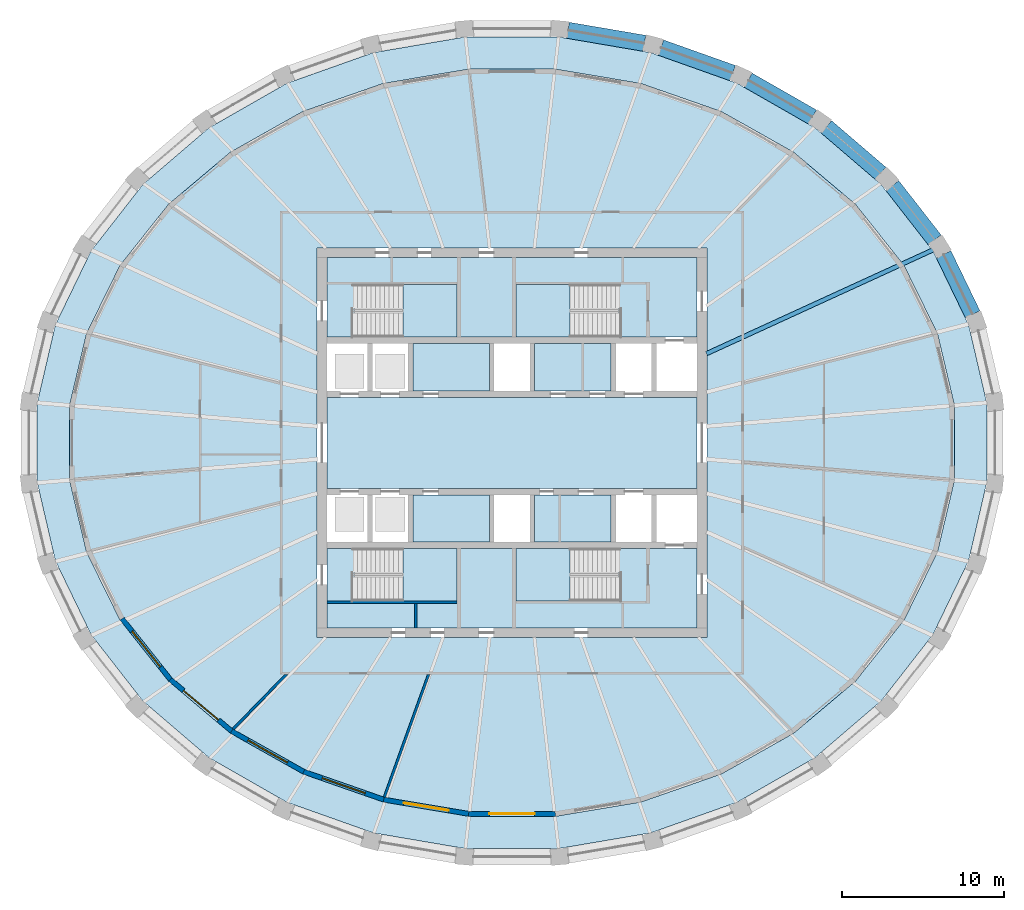
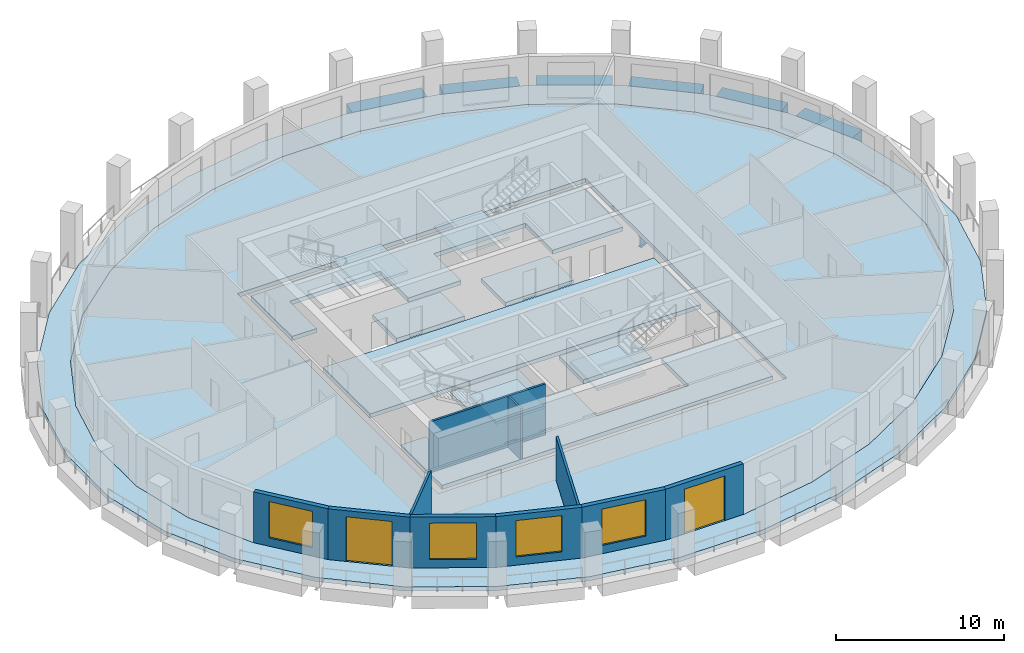
# One storey, part 2 of 10: 13 slabs, 10 walls, 7 beams, 4 windows, 2 doors, 6 openings, 4 elements without a shape of their own.
"""IFC4 building model written with IfcOpenShell, lengths in metres."""

from ifc_helpers import new_model, si_unit, direction, frame, frame_2d, origin, origin_2d, place, context, subcontext, project, spatial, polyline, rectangle, i_section, outline, extrude, material, layer, layer_set, material_profile, profile_set, type_object, element, fill, aggregate, save


model = new_model("IFC4")

# Units and contexts
model_context = context("Model", 3, precision=1e-05, world=origin(), true_north=direction((0.0, 1.0)))
body_context = subcontext(model_context, "Body", "Model", "MODEL_VIEW")
ifc_project = project(units=[si_unit("LENGTHUNIT", "METRE"), si_unit("AREAUNIT", "SQUARE_METRE"), si_unit("VOLUMEUNIT", "CUBIC_METRE"), si_unit("PLANEANGLEUNIT", "RADIAN"), si_unit("MASSUNIT", "GRAM", prefix="KILO")], contexts=[model_context])

# Site, building, storey
site_placement = place(None, origin())
site = spatial("IfcSite", under=ifc_project, at=site_placement, CompositionType="ELEMENT")
building_placement = place(site_placement, origin())
building = spatial("IfcBuilding", under=site, at=building_placement, Name="Halqa Exchange Tower", CompositionType="ELEMENT")
storey_placement = place(building_placement, frame((0.0, 0.0, 268.300048828125)))
storey = spatial("IfcBuildingStorey", under=building, at=storey_placement, Name="L62", CompositionType="ELEMENT", Elevation=268.300048828125)

# Beams
ifc_material_1 = material(Name="Steel S355", Category="steel")
ifc_material_profile_1 = material_profile(ifc_material_1, i_section(OverallWidth=0.264892578125, OverallDepth=0.7529296875, WebThickness=0.01318359375, FlangeThickness=0.01708984375, FilletRadius=0.01708984375, at=origin_2d()), Name="IPE 750x147")
ifc_profile_set_1 = profile_set([ifc_material_profile_1], Name="Steel S355")
beam_type_1 = type_object("IfcBeamType", Name="Floor beam IPE 750x147", PredefinedType="BEAM", material=ifc_profile_set_1)
beam_1_placement = place(storey_placement, frame((11.972412109375, 5.485107421875, -0.676513671875), z_axis=(0.909124745555, 0.416523945314, 0.0), x_axis=(-0.416523945314, 0.909124745555, 0.0)))
element("IfcBeam", 1, at=beam_1_placement, inside=storey, type_object=beam_type_1, Name="Radial beam 3", PredefinedType="BEAM", context=body_context, shape_type="SweptSolid", body=[
    extrude(i_section(OverallWidth=0.264892578125, OverallDepth=0.7529296875, WebThickness=0.01318359375, FlangeThickness=0.01708984375, FilletRadius=0.01708984375, at=origin_2d()), origin(), (0.0, 0.0, 1.0), 15.429443359375),
])
ifc_material_2 = material(Name="Concrete C60/75", Category="concrete")
ifc_material_profile_2 = material_profile(ifc_material_2, rectangle(XDim=1.0, YDim=0.89990234375, at=origin_2d()), Name="1000 x 900")
ifc_profile_set_2 = profile_set([ifc_material_profile_2], Name="Concrete C60/75")
beam_type_2 = type_object("IfcBeamType", Name="RC spandrel beam 1000 x 900 C60/75", PredefinedType="SPANDREL", material=ifc_profile_set_2)
beam_2_placement = place(storey_placement, frame((28.353759765625, 7.904541015625, -0.449951171875), z_axis=(-0.43506886732, 0.90039717941, 0.0), x_axis=(-0.90039717941, -0.43506886732, 0.0)))
element("IfcBeam", 2, at=beam_2_placement, inside=storey, type_object=beam_type_2, Name="Spandrel 2", PredefinedType="SPANDREL", context=body_context, shape_type="SweptSolid", body=[
    extrude(rectangle(XDim=1.0, YDim=0.89990234375, at=origin_2d()), origin(), (0.0, 0.0, 1.0), 4.0986328125),
])
beam_3_placement = place(storey_placement, frame((26.01904296875, 12.482421875, -0.449951171875), z_axis=(-0.614844941027, 0.788648019394, 0.0), x_axis=(-0.788648019394, -0.614844941027, 0.0)))
element("IfcBeam", 3, at=beam_3_placement, inside=storey, type_object=beam_type_2, Name="Spandrel 3", PredefinedType="SPANDREL", context=body_context, shape_type="SweptSolid", body=[
    extrude(rectangle(XDim=1.0, YDim=0.89990234375, at=origin_2d()), origin(), (0.0, 0.0, 1.0), 4.24072265625),
])
beam_4_placement = place(storey_placement, frame((22.690673828125, 16.58251953125, -0.449951171875), z_axis=(-0.759264428132, 0.650782243284, 0.0), x_axis=(-0.650782243284, -0.759264428132, 0.0)))
element("IfcBeam", 4, at=beam_4_placement, inside=storey, type_object=beam_type_2, Name="Spandrel 4", PredefinedType="SPANDREL", context=body_context, shape_type="SweptSolid", body=[
    extrude(rectangle(XDim=1.0, YDim=0.89990234375, at=origin_2d()), origin(), (0.0, 0.0, 1.0), 4.404296875),
])
beam_5_placement = place(storey_placement, frame((18.493896484375, 20.05029296875, -0.449951171875), z_axis=(-0.867728942601, 0.497037706992, 0.0), x_axis=(-0.497037706992, -0.867728942601, 0.0)))
element("IfcBeam", 5, at=beam_5_placement, inside=storey, type_object=beam_type_2, Name="Spandrel 5", PredefinedType="SPANDREL", context=body_context, shape_type="SweptSolid", body=[
    extrude(rectangle(XDim=1.0, YDim=0.89990234375, at=origin_2d()), origin(), (0.0, 0.0, 1.0), 4.562255859375),
])
beam_6_placement = place(storey_placement, frame((13.58642578125, 22.753662109375, -0.449951171875), z_axis=(-0.942370071958, 0.334572335194, 0.0), x_axis=(-0.334572335194, -0.942370071958, 0.0)))
element("IfcBeam", 6, at=beam_6_placement, inside=storey, type_object=beam_type_2, Name="Spandrel 6", PredefinedType="SPANDREL", context=body_context, shape_type="SweptSolid", body=[
    extrude(rectangle(XDim=1.0, YDim=0.89990234375, at=origin_2d()), origin(), (0.0, 0.0, 1.0), 4.692138671875),
])
beam_7_placement = place(storey_placement, frame((8.153564453125, 24.587158203125, -0.449951171875), z_axis=(-0.985773827322, 0.168077248215, 0.0), x_axis=(-0.168077248215, -0.985773827322, 0.0)))
element("IfcBeam", 7, at=beam_7_placement, inside=storey, type_object=beam_type_2, Name="Spandrel 7", PredefinedType="SPANDREL", context=body_context, shape_type="SweptSolid", body=[
    extrude(rectangle(XDim=1.0, YDim=0.89990234375, at=origin_2d()), origin(), (0.0, 0.0, 1.0), 4.77734375),
])

# Slabs
ifc_layer_1 = layer(ifc_material_2, 0.300048828125)
ifc_layer_set_1 = layer_set([ifc_layer_1], Name="Concrete C60/75")
slab_type_1 = type_object("IfcSlabType", Name="Core floor slab 300", PredefinedType="FLOOR", material=ifc_layer_set_1)
slab_1_placement = place(storey_placement, frame((0.0, 0.0, -0.300048828125)))
element("IfcSlab", 8, at=slab_1_placement, inside=storey, type_object=slab_type_1, Name="Core floor slab", PredefinedType="FLOOR", context=body_context, shape_type="SweptSolid", body=[
    extrude(outline(polyline([(-11.39990234375, 2.800048828125), (11.39990234375, 2.800048828125), (11.39990234375, -2.800048828125), (-11.39990234375, -2.800048828125), (-11.39990234375, 2.800048828125)])), origin(), (0.0, 0.0, 1.0), 0.300048828125),
])
slab_2_placement = place(storey_placement, frame((0.0, 0.0, -0.300048828125)))
element("IfcSlab", 9, at=slab_2_placement, inside=storey, type_object=slab_type_1, Name="Core floor slab", PredefinedType="FLOOR", context=body_context, shape_type="SweptSolid", body=[
    extrude(outline(polyline([(-11.39990234375, 11.39990234375), (11.39990234375, 11.39990234375), (11.39990234375, 6.5), (6.550048828125, 6.5), (6.550048828125, 9.75), (0.25, 9.75), (0.25, 6.5), (-3.39990234375, 6.5), (-3.39990234375, 9.75), (-9.699951171875, 9.75), (-9.699951171875, 6.5), (-11.39990234375, 6.5), (-11.39990234375, 11.39990234375)])), origin(), (0.0, 0.0, 1.0), 0.300048828125),
])
slab_3_placement = place(storey_placement, frame((0.0, 0.0, -0.300048828125)))
element("IfcSlab", 10, at=slab_3_placement, inside=storey, type_object=slab_type_1, Name="Core floor slab", PredefinedType="FLOOR", context=body_context, shape_type="SweptSolid", body=[
    extrude(outline(polyline([(-11.39990234375, -6.5), (-9.699951171875, -6.5), (-9.699951171875, -9.75), (-3.39990234375, -9.75), (-3.39990234375, -6.5), (0.25, -6.5), (0.25, -9.75), (6.550048828125, -9.75), (6.550048828125, -6.5), (11.39990234375, -6.5), (11.39990234375, -11.39990234375), (-11.39990234375, -11.39990234375), (-11.39990234375, -6.5)])), origin(), (0.0, 0.0, 1.0), 0.300048828125),
])
slab_4_placement = place(storey_placement, frame((0.0, 0.0, -0.300048828125)))
element("IfcSlab", 11, at=slab_4_placement, inside=storey, type_object=slab_type_1, Name="Core floor slab", PredefinedType="FLOOR", context=body_context, shape_type="SweptSolid", body=[
    extrude(outline(polyline([(-1.39990234375, -3.199951171875), (-1.39990234375, -6.10009765625), (-6.10009765625, -6.10009765625), (-6.10009765625, -3.199951171875), (-1.39990234375, -3.199951171875)])), origin(), (0.0, 0.0, 1.0), 0.300048828125),
])
slab_5_placement = place(storey_placement, frame((0.0, 0.0, -0.300048828125)))
element("IfcSlab", 12, at=slab_5_placement, inside=storey, type_object=slab_type_1, Name="Core floor slab", PredefinedType="FLOOR", context=body_context, shape_type="SweptSolid", body=[
    extrude(outline(polyline([(-1.39990234375, 3.199951171875), (-6.10009765625, 3.199951171875), (-6.10009765625, 6.10009765625), (-1.39990234375, 6.10009765625), (-1.39990234375, 3.199951171875)])), origin(), (0.0, 0.0, 1.0), 0.300048828125),
])
slab_6_placement = place(storey_placement, frame((0.0, 0.0, -0.300048828125)))
element("IfcSlab", 13, at=slab_6_placement, inside=storey, type_object=slab_type_1, Name="Core floor slab", PredefinedType="FLOOR", context=body_context, shape_type="SweptSolid", body=[
    extrude(outline(polyline([(6.10009765625, -3.199951171875), (6.10009765625, -6.10009765625), (1.39990234375, -6.10009765625), (1.39990234375, -3.199951171875), (6.10009765625, -3.199951171875)])), origin(), (0.0, 0.0, 1.0), 0.300048828125),
])
slab_7_placement = place(storey_placement, frame((0.0, 0.0, -0.300048828125)))
element("IfcSlab", 14, at=slab_7_placement, inside=storey, type_object=slab_type_1, Name="Core floor slab", PredefinedType="FLOOR", context=body_context, shape_type="SweptSolid", body=[
    extrude(outline(polyline([(6.10009765625, 6.10009765625), (6.10009765625, 3.199951171875), (1.39990234375, 3.199951171875), (1.39990234375, 6.10009765625), (6.10009765625, 6.10009765625)])), origin(), (0.0, 0.0, 1.0), 0.300048828125),
])
ifc_material_3 = material(Name="Concrete C40/50", Category="concrete")
ifc_layer_2 = layer(ifc_material_3, 0.300048828125)
ifc_layer_set_2 = layer_set([ifc_layer_2], Name="Concrete C40/50")
slab_type_2 = type_object("IfcSlabType", Name="RC floor slab 300", PredefinedType="FLOOR", material=ifc_layer_set_2)
slab_8_placement = place(storey_placement, frame((0.0, 0.0, -0.300048828125)))
element("IfcSlab", 15, at=slab_8_placement, inside=storey, type_object=slab_type_2, Name="Floor slab", PredefinedType="FLOOR", context=body_context, shape_type="SweptSolid", body=[
    extrude(outline(polyline([(27.238037109375, 2.269775390625), (26.18701171875, 6.720703125), (24.127197265625, 10.909912109375), (21.140380859375, 14.675048828125), (17.34375, 17.873291015625), (12.884033203125, 20.383544921875), (7.93212890625, 22.111328125), (2.67822265625, 22.99169921875), (-2.67822265625, 22.99169921875), (-7.93212890625, 22.111328125), (-12.884033203125, 20.383544921875), (-17.34375, 17.873291015625), (-21.140380859375, 14.675048828125), (-24.127197265625, 10.909912109375), (-26.18701171875, 6.720703125), (-27.238037109375, 2.269775390625), (-27.238037109375, -2.269775390625), (-26.18701171875, -6.720703125), (-24.127197265625, -10.909912109375), (-21.140380859375, -14.675048828125), (-17.34375, -17.873291015625), (-12.884033203125, -20.383544921875), (-7.93212890625, -22.111328125), (-2.67822265625, -22.99169921875), (2.67822265625, -22.99169921875), (7.93212890625, -22.111328125), (12.884033203125, -20.383544921875), (17.34375, -17.873291015625), (21.140380859375, -14.675048828125), (24.127197265625, -10.909912109375), (26.18701171875, -6.720703125), (27.238037109375, -2.269775390625), (27.238037109375, 2.269775390625)]), holes=[polyline([(-12.0, -12.0), (12.0, -12.0), (12.0, 12.0), (-12.0, 12.0), (-12.0, -12.0)])]), origin(), (0.0, 0.0, 1.0), 0.300048828125),
])
ifc_layer_3 = layer(ifc_material_3, 0.300048828125)
ifc_layer_set_3 = layer_set([ifc_layer_3], Name="Concrete C40/50")
slab_type_3 = type_object("IfcSlabType", Name="RC loggia slab 300", PredefinedType="FLOOR", material=ifc_layer_set_3)
slab_9_placement = place(storey_placement, frame((0.0, 0.0, -0.300048828125)))
element("IfcSlab", 16, at=slab_9_placement, inside=storey, type_object=slab_type_3, Name="Loggia slab", PredefinedType="FLOOR", context=body_context, shape_type="SweptSolid", body=[
    extrude(outline(polyline([(29.224609375, 2.4521484375), (29.224609375, -2.4521484375), (28.10791015625, -7.264404296875), (25.91455078125, -11.802978515625), (22.72509765625, -15.894287109375), (18.65869140625, -19.3798828125), (13.870361328125, -22.122314453125), (8.543701171875, -24.013427734375), (2.88525390625, -24.978271484375), (-2.88525390625, -24.978271484375), (-8.543701171875, -24.013427734375), (-13.870361328125, -22.122314453125), (-18.65869140625, -19.3798828125), (-22.72509765625, -15.894287109375), (-25.91455078125, -11.802978515625), (-28.10791015625, -7.264404296875), (-29.224609375, -2.4521484375), (-29.224609375, 2.4521484375), (-28.10791015625, 7.264404296875), (-25.91455078125, 11.802978515625), (-22.72509765625, 15.894287109375), (-18.65869140625, 19.3798828125), (-13.870361328125, 22.122314453125), (-8.543701171875, 24.013427734375), (-2.88525390625, 24.978271484375), (2.88525390625, 24.978271484375), (8.543701171875, 24.013427734375), (13.870361328125, 22.122314453125), (18.65869140625, 19.3798828125), (22.72509765625, 15.894287109375), (25.91455078125, 11.802978515625), (28.10791015625, 7.264404296875), (29.224609375, 2.4521484375)]), holes=[polyline([(27.238037109375, 2.269775390625), (26.18701171875, 6.720703125), (24.127197265625, 10.909912109375), (21.140380859375, 14.675048828125), (17.34375, 17.873291015625), (12.884033203125, 20.383544921875), (7.93212890625, 22.111328125), (2.67822265625, 22.99169921875), (-2.67822265625, 22.99169921875), (-7.93212890625, 22.111328125), (-12.884033203125, 20.383544921875), (-17.34375, 17.873291015625), (-21.140380859375, 14.675048828125), (-24.127197265625, 10.909912109375), (-26.18701171875, 6.720703125), (-27.238037109375, 2.269775390625), (-27.238037109375, -2.269775390625), (-26.18701171875, -6.720703125), (-24.127197265625, -10.909912109375), (-21.140380859375, -14.675048828125), (-17.34375, -17.873291015625), (-12.884033203125, -20.383544921875), (-7.93212890625, -22.111328125), (-2.67822265625, -22.99169921875), (2.67822265625, -22.99169921875), (7.93212890625, -22.111328125), (12.884033203125, -20.383544921875), (17.34375, -17.873291015625), (21.140380859375, -14.675048828125), (24.127197265625, -10.909912109375), (26.18701171875, -6.720703125), (27.238037109375, -2.269775390625), (27.238037109375, 2.269775390625)])]), origin(), (0.0, 0.0, 1.0), 0.300048828125),
])

# Stair, slab
ifc_material_4 = material(Name="Concrete C30/37", Category="concrete")
stair_type = type_object("IfcStairType", Name="Exit stair 1500 wide", PredefinedType="HALF_TURN_STAIR", material=ifc_material_4)
stair_1_placement = place(storey_placement, origin())
stair_1 = element("IfcStair", 17, at=stair_1_placement, inside=storey, type_object=stair_type, Name="Exit stair ST1", PredefinedType="HALF_TURN_STAIR")
ifc_layer_4 = layer(ifc_material_4, 0.199951171875)
ifc_layer_set_4 = layer_set([ifc_layer_4], Name="Concrete C30/37")
slab_type_4 = type_object("IfcSlabType", Name="Stair landing 200 slab", PredefinedType="LANDING", material=ifc_layer_set_4)
slab_10_placement = place(storey_placement, frame((0.0, 0.0, 1.800048828125)))
slab_10 = element("IfcSlab", 18, at=slab_10_placement, type_object=slab_type_4, Name="ST1 landing 1", PredefinedType="LANDING", context=body_context, shape_type="SweptSolid", body=[
    extrude(outline(polyline([(-6.719970703125, 6.5), (-3.39990234375, 6.5), (-3.39990234375, 9.75), (-6.719970703125, 9.75), (-6.719970703125, 6.5)])), origin(), (0.0, 0.0, 1.0), 0.199951171875),
])
aggregate(stair_1, [slab_10])

stair_2_placement = place(storey_placement, origin())
stair_2 = element("IfcStair", 19, at=stair_2_placement, inside=storey, type_object=stair_type, Name="Exit stair ST2", PredefinedType="HALF_TURN_STAIR")
slab_11_placement = place(storey_placement, frame((0.0, 0.0, 1.800048828125)))
slab_11 = element("IfcSlab", 20, at=slab_11_placement, type_object=slab_type_4, Name="ST2 landing 1", PredefinedType="LANDING", context=body_context, shape_type="SweptSolid", body=[
    extrude(outline(polyline([(0.25, 6.5), (3.570068359375, 6.5), (3.570068359375, 9.75), (0.25, 9.75), (0.25, 6.5)])), origin(), (0.0, 0.0, 1.0), 0.199951171875),
])
aggregate(stair_2, [slab_11])

stair_3_placement = place(storey_placement, origin())
stair_3 = element("IfcStair", 21, at=stair_3_placement, inside=storey, type_object=stair_type, Name="Exit stair ST3", PredefinedType="HALF_TURN_STAIR")
slab_12_placement = place(storey_placement, frame((0.0, 0.0, 1.800048828125)))
slab_12 = element("IfcSlab", 22, at=slab_12_placement, type_object=slab_type_4, Name="ST3 landing 1", PredefinedType="LANDING", context=body_context, shape_type="SweptSolid", body=[
    extrude(outline(polyline([(-6.719970703125, -9.75), (-3.39990234375, -9.75), (-3.39990234375, -6.5), (-6.719970703125, -6.5), (-6.719970703125, -9.75)])), origin(), (0.0, 0.0, 1.0), 0.199951171875),
])
aggregate(stair_3, [slab_12])

stair_4_placement = place(storey_placement, origin())
stair_4 = element("IfcStair", 23, at=stair_4_placement, inside=storey, type_object=stair_type, Name="Exit stair ST4", PredefinedType="HALF_TURN_STAIR")
slab_13_placement = place(storey_placement, frame((0.0, 0.0, 1.800048828125)))
slab_13 = element("IfcSlab", 24, at=slab_13_placement, type_object=slab_type_4, Name="ST4 landing 1", PredefinedType="LANDING", context=body_context, shape_type="SweptSolid", body=[
    extrude(outline(polyline([(0.25, -9.75), (3.570068359375, -9.75), (3.570068359375, -6.5), (0.25, -6.5), (0.25, -9.75)])), origin(), (0.0, 0.0, 1.0), 0.199951171875),
])
aggregate(stair_4, [slab_13])

# Walls
ifc_material_5 = material(Name="Fire-rated gypsum board")
ifc_layer_5 = layer(ifc_material_5, 0.14990234375)
ifc_layer_set_5 = layer_set([ifc_layer_5], Name="Fire-rated gypsum board")
wall_type_1 = type_object("IfcWallType", Name="Fire partition EI 60 150", PredefinedType="PARTITIONING", material=ifc_layer_set_5)
wall_1_placement = place(storey_placement, frame((-13.852294921875, -14.222900390625, 0.0), z_axis=(0.0, 0.0, 1.0), x_axis=(-0.69820654799, -0.715896372629, 0.0)))
element("IfcWall", 25, at=wall_1_placement, inside=storey, type_object=wall_type_1, Name="L62-PWL-012", PredefinedType="PARTITIONING", context=body_context, shape_type="SweptSolid", body=[
    extrude(outline(polyline([(4.73388671875, -0.074951171875), (4.73388671875, 0.07470703125), (4.73388671875, 0.074951171875), (3.156005859375, 0.074951171875), (1.577880859375, 0.074951171875), (0.0, 0.074951171875), (0.0, 0.07470703125), (0.14599609375, -0.074951171875), (1.67529296875, -0.074951171875), (3.20458984375, -0.074951171875), (4.73388671875, -0.074951171875)])), origin(), (0.0, 0.0, 1.0), 3.699951171875),
])
wall_2_placement = place(storey_placement, frame((-5.1279296875, -14.25, 0.0), z_axis=(0.0, 0.0, 1.0), x_axis=(-0.339369350229, -0.940653200773, 0.0)))
element("IfcWall", 26, at=wall_2_placement, inside=storey, type_object=wall_type_1, Name="L62-PWL-013", PredefinedType="PARTITIONING", context=body_context, shape_type="SweptSolid", body=[
    extrude(outline(polyline([(8.047119140625, -0.074951171875), (8.047119140625, -0.02978515625), (8.046875, 0.00146484375), (8.033447265625, 0.074951171875), (6.4267578125, 0.074951171875), (4.820068359375, 0.074951171875), (3.21337890625, 0.074951171875), (1.606689453125, 0.074951171875), (0.0, 0.074951171875), (0.0, 0.07373046875), (0.0537109375, -0.074951171875), (2.052001953125, -0.074951171875), (4.05029296875, -0.074951171875), (6.048828125, -0.074951171875), (8.047119140625, -0.074951171875)])), origin(), (0.0, 0.0, 1.0), 3.14990234375),
])
ifc_material_6 = material(Name="Gypsum board")
ifc_layer_6 = layer(ifc_material_6, 0.14990234375)
ifc_layer_set_6 = layer_set([ifc_layer_6], Name="Gypsum board")
wall_type_2 = type_object("IfcWallType", Name="Penthouse riser wall 150 gypsum", PredefinedType="PARTITIONING", material=ifc_layer_set_6)
wall_3_placement = place(storey_placement, frame((-5.925048828125, -11.39990234375, 0.0), z_axis=(0.0, 0.0, 1.0), x_axis=(0.0, 1.0, 0.0)))
element("IfcWall", 27, at=wall_3_placement, inside=storey, type_object=wall_type_2, Name="Partition W5.925 S", PredefinedType="PARTITIONING", context=body_context, shape_type="SweptSolid", body=[
    extrude(rectangle(XDim=1.5, YDim=0.14990234375, at=frame_2d((0.75, 0.0))), origin(), (0.0, 0.0, 1.0), 3.699951171875),
])
ifc_layer_7 = layer(ifc_material_4, 0.14990234375)
ifc_layer_set_7 = layer_set([ifc_layer_7], Name="Concrete C30/37")
wall_type_3 = type_object("IfcWallType", Name="RC stair wall 150 C30/37", PredefinedType="SHEAR", material=ifc_layer_set_7)
wall_4_placement = place(storey_placement, frame((-11.39990234375, -9.824951171875, 0.0), z_axis=(0.0, 0.0, 1.0), x_axis=(1.0, 0.0, 0.0)))
element("IfcWall", 28, at=wall_4_placement, inside=storey, type_object=wall_type_3, Name="Stair ST1 north wall S", PredefinedType="SHEAR", context=body_context, shape_type="SweptSolid", body=[
    extrude(rectangle(XDim=8.0, YDim=0.14990234375, at=frame_2d((4.0, 0.0))), origin(), (0.0, 0.0, 1.0), 3.699951171875),
])

# Wall, opening, window
ifc_material_7 = material(Name="Limestone cladding", Category="masonry")
ifc_layer_8 = layer(ifc_material_7, 0.0400390625)
ifc_material_8 = material(Name="Ventilated cavity")
ifc_layer_9 = layer(ifc_material_8, 0.030029296875, ventilated=True)
ifc_material_9 = material(Name="Mineral wool insulation")
ifc_layer_10 = layer(ifc_material_9, 0.10009765625)
ifc_layer_11 = layer(ifc_material_4, 0.10009765625)
ifc_material_10 = material(Name="Internal plaster")
ifc_layer_12 = layer(ifc_material_10, 0.030029296875)
ifc_layer_set_8 = layer_set([ifc_layer_8, ifc_layer_9, ifc_layer_10, ifc_layer_11, ifc_layer_12], Name="Stone-faced insulated wall 300")
wall_type_4 = type_object("IfcWallType", Name="Stone-faced insulated wall 300", PredefinedType="STANDARD", material=ifc_layer_set_8)
wall_5_placement = place(storey_placement, frame((-23.999755859375, -10.8291015625, 0.0), z_axis=(0.0, 0.0, 1.0), x_axis=(0.621434755851, -0.783465917715, 0.0)))
wall_5 = element("IfcWall", 29, at=wall_5_placement, inside=storey, type_object=wall_type_4, Name="Glass-line wall 19", PredefinedType="STANDARD", context=body_context, shape_type="SweptSolid", body=[
    extrude(outline(polyline([(-0.01611328125, -0.14990234375), (4.7900390625, -0.14990234375), (4.759765625, 0.14990234375), (0.01611328125, 0.14990234375), (-0.01611328125, -0.14990234375)])), origin(), (0.0, 0.0, 1.0), 3.699951171875),
])
opening_1_placement = place(wall_5_placement, frame((0.9873046875, 0.0, 0.60009765625)))
opening_1 = element("IfcOpeningElement", 30, at=opening_1_placement, cuts=wall_5, Name="Opening W-F4-19", PredefinedType="OPENING", context=body_context, shape_type="SweptSolid", body=[
    extrude(rectangle(XDim=2.800048828125, YDim=2.64990234375, at=frame_2d((1.39990234375, 1.324951171875))), frame((0.0, 0.162109375, 0.0), z_axis=(0.0, -1.0, 0.0), x_axis=(1.0, 0.0, 0.0)), (0.0, 0.0, 1.0), 0.323974609375),
])
ifc_material_11 = material(Name="Clear low-emissivity glass in aluminium frame", Category="aluminium")
window_type = type_object("IfcWindowType", Name="Fixed clear glazed window 2800 x 2650", PartitioningType="DOUBLE_PANEL_VERTICAL", PredefinedType="WINDOW", material=ifc_material_11)
window_1_placement = place(opening_1_placement, origin())
window_1 = element("IfcWindow", 31, at=window_1_placement, inside=storey, type_object=window_type, Name="Window 4", OverallHeight=2.64990234375, OverallWidth=2.800048828125, PartitioningType="DOUBLE_PANEL_VERTICAL", PredefinedType="WINDOW", context=body_context, shape_type="SweptSolid", body=[
    extrude(rectangle(XDim=2.800048828125, YDim=2.64990234375, at=frame_2d((1.39990234375, 1.324951171875))), frame((0.0, 0.030029296875, 0.0), z_axis=(0.0, -1.0, 0.0), x_axis=(1.0, 0.0, 0.0)), (0.0, 0.0, 1.0), 0.06005859375),
])
fill(opening_1, window_1)

# Wall, opening, door
wall_6_placement = place(storey_placement, frame((-21.032470703125, -14.570068359375, 0.0), z_axis=(0.0, 0.0, 1.0), x_axis=(0.764832940795, -0.644228664897, 0.0)))
wall_6 = element("IfcWall", 32, at=wall_6_placement, inside=storey, type_object=wall_type_4, Name="Glass-line wall 20", PredefinedType="STANDARD", context=body_context, shape_type="SweptSolid", body=[
    extrude(outline(polyline([(-0.01513671875, -0.14990234375), (4.949462890625, -0.14990234375), (4.921142578125, 0.14990234375), (0.01513671875, 0.14990234375), (-0.01513671875, -0.14990234375)])), origin(), (0.0, 0.0, 1.0), 3.699951171875),
])
opening_2_placement = place(wall_6_placement, frame((1.067626953125, 0.0, 0.0)))
opening_2 = element("IfcOpeningElement", 33, at=opening_2_placement, cuts=wall_6, Name="Opening LG-F4-05", PredefinedType="OPENING", context=body_context, shape_type="SweptSolid", body=[
    extrude(rectangle(XDim=2.800048828125, YDim=3.25, at=frame_2d((1.39990234375, 1.625))), frame((0.0, 0.162109375, 0.0), z_axis=(0.0, -1.0, 0.0), x_axis=(1.0, 0.0, 0.0)), (0.0, 0.0, 1.0), 0.323974609375),
])
door_type = type_object("IfcDoorType", Name="Glazed sliding loggia door 2800 x 3250", OperationType="DOUBLE_DOOR_SLIDING", PredefinedType="DOOR", material=ifc_material_11)
door_1_placement = place(opening_2_placement, origin())
door_1 = element("IfcDoor", 34, at=door_1_placement, inside=storey, type_object=door_type, Name="Loggia door 5", OperationType="DOUBLE_DOOR_SLIDING", OverallHeight=3.25, OverallWidth=2.800048828125, PredefinedType="DOOR", context=body_context, shape_type="SweptSolid", body=[
    extrude(rectangle(XDim=2.800048828125, YDim=3.25, at=frame_2d((1.39990234375, 1.625))), frame((0.0, 0.02490234375, 0.0), z_axis=(0.0, -1.0, 0.0), x_axis=(1.0, 0.0, 0.0)), (0.0, 0.0, 1.0), 0.050048828125),
])
fill(opening_2, door_1)

# Wall, opening, window
wall_7_placement = place(storey_placement, frame((-17.2578125, -17.74951171875, 0.0), z_axis=(0.0, 0.0, 1.0), x_axis=(0.871433320402, -0.490513983585, 0.0)))
wall_7 = element("IfcWall", 35, at=wall_7_placement, inside=storey, type_object=wall_type_4, Name="Glass-line wall 21", PredefinedType="STANDARD", context=body_context, shape_type="SweptSolid", body=[
    extrude(outline(polyline([(-0.01416015625, -0.14990234375), (5.103759765625, -0.14990234375), (5.076904296875, 0.14990234375), (0.01416015625, 0.14990234375), (-0.01416015625, -0.14990234375)])), origin(), (0.0, 0.0, 1.0), 3.699951171875),
])
opening_3_placement = place(wall_7_placement, frame((1.14501953125, 0.0, 0.60009765625)))
opening_3 = element("IfcOpeningElement", 36, at=opening_3_placement, cuts=wall_7, Name="Opening W-F4-21", PredefinedType="OPENING", context=body_context, shape_type="SweptSolid", body=[
    extrude(rectangle(XDim=2.800048828125, YDim=2.64990234375, at=frame_2d((1.39990234375, 1.324951171875))), frame((0.0, 0.162109375, 0.0), z_axis=(0.0, -1.0, 0.0), x_axis=(1.0, 0.0, 0.0)), (0.0, 0.0, 1.0), 0.323974609375),
])
window_2_placement = place(opening_3_placement, origin())
window_2 = element("IfcWindow", 37, at=window_2_placement, inside=storey, type_object=window_type, Name="Window 4", OverallHeight=2.64990234375, OverallWidth=2.800048828125, PartitioningType="DOUBLE_PANEL_VERTICAL", PredefinedType="WINDOW", context=body_context, shape_type="SweptSolid", body=[
    extrude(rectangle(XDim=2.800048828125, YDim=2.64990234375, at=frame_2d((1.39990234375, 1.324951171875))), frame((0.0, 0.030029296875, 0.0), z_axis=(0.0, -1.0, 0.0), x_axis=(1.0, 0.0, 0.0)), (0.0, 0.0, 1.0), 0.06005859375),
])
fill(opening_3, window_2)

wall_8_placement = place(storey_placement, frame((-12.822021484375, -20.246337890625, 0.0), z_axis=(0.0, 0.0, 1.0), x_axis=(0.9441693858, -0.329460423904, 0.0)))
wall_8 = element("IfcWall", 38, at=wall_8_placement, inside=storey, type_object=wall_type_4, Name="Glass-line wall 22", PredefinedType="STANDARD", context=body_context, shape_type="SweptSolid", body=[
    extrude(outline(polyline([(-0.013427734375, -0.14990234375), (5.23095703125, -0.14990234375), (5.20556640625, 0.14990234375), (0.013427734375, 0.14990234375), (-0.013427734375, -0.14990234375)])), origin(), (0.0, 0.0, 1.0), 3.699951171875),
])
opening_4_placement = place(wall_8_placement, frame((1.209228515625, 0.0, 0.60009765625)))
opening_4 = element("IfcOpeningElement", 39, at=opening_4_placement, cuts=wall_8, Name="Opening W-F4-22", PredefinedType="OPENING", context=body_context, shape_type="SweptSolid", body=[
    extrude(rectangle(XDim=2.800048828125, YDim=2.64990234375, at=frame_2d((1.39990234375, 1.324951171875))), frame((0.0, 0.162109375, 0.0), z_axis=(0.0, -1.0, 0.0), x_axis=(1.0, 0.0, 0.0)), (0.0, 0.0, 1.0), 0.323974609375),
])
window_3_placement = place(opening_4_placement, origin())
window_3 = element("IfcWindow", 40, at=window_3_placement, inside=storey, type_object=window_type, Name="Window 4", OverallHeight=2.64990234375, OverallWidth=2.800048828125, PartitioningType="DOUBLE_PANEL_VERTICAL", PredefinedType="WINDOW", context=body_context, shape_type="SweptSolid", body=[
    extrude(rectangle(XDim=2.800048828125, YDim=2.64990234375, at=frame_2d((1.39990234375, 1.324951171875))), frame((0.0, 0.030029296875, 0.0), z_axis=(0.0, -1.0, 0.0), x_axis=(1.0, 0.0, 0.0)), (0.0, 0.0, 1.0), 0.06005859375),
])
fill(opening_4, window_3)

wall_9_placement = place(storey_placement, frame((-7.89501953125, -21.965576171875, 0.0), z_axis=(0.0, 0.0, 1.0), x_axis=(0.986250435411, -0.165257612993, 0.0)))
wall_9 = element("IfcWall", 41, at=wall_9_placement, inside=storey, type_object=wall_type_4, Name="Glass-line wall 23", PredefinedType="STANDARD", context=body_context, shape_type="SweptSolid", body=[
    extrude(outline(polyline([(-0.0126953125, -0.14990234375), (5.314697265625, -0.14990234375), (5.289794921875, 0.14990234375), (0.0126953125, 0.14990234375), (-0.0126953125, -0.14990234375)])), origin(), (0.0, 0.0, 1.0), 3.699951171875),
])
opening_5_placement = place(wall_9_placement, frame((1.2509765625, 0.0, 0.60009765625)))
opening_5 = element("IfcOpeningElement", 42, at=opening_5_placement, cuts=wall_9, Name="Opening W-F4-23", PredefinedType="OPENING", context=body_context, shape_type="SweptSolid", body=[
    extrude(rectangle(XDim=2.800048828125, YDim=2.64990234375, at=frame_2d((1.39990234375, 1.324951171875))), frame((0.0, 0.162109375, 0.0), z_axis=(0.0, -1.0, 0.0), x_axis=(1.0, 0.0, 0.0)), (0.0, 0.0, 1.0), 0.323974609375),
])
window_4_placement = place(opening_5_placement, origin())
window_4 = element("IfcWindow", 43, at=window_4_placement, inside=storey, type_object=window_type, Name="Window 4", OverallHeight=2.64990234375, OverallWidth=2.800048828125, PartitioningType="DOUBLE_PANEL_VERTICAL", PredefinedType="WINDOW", context=body_context, shape_type="SweptSolid", body=[
    extrude(rectangle(XDim=2.800048828125, YDim=2.64990234375, at=frame_2d((1.39990234375, 1.324951171875))), frame((0.0, 0.030029296875, 0.0), z_axis=(0.0, -1.0, 0.0), x_axis=(1.0, 0.0, 0.0)), (0.0, 0.0, 1.0), 0.06005859375),
])
fill(opening_5, window_4)

# Wall, opening, door
wall_10_placement = place(storey_placement, frame((-2.665771484375, -22.841796875, 0.0), z_axis=(0.0, 0.0, 1.0), x_axis=(1.0, 0.0, 0.0)))
wall_10 = element("IfcWall", 44, at=wall_10_placement, inside=storey, type_object=wall_type_4, Name="Glass-line wall 24", PredefinedType="STANDARD", context=body_context, shape_type="SweptSolid", body=[
    extrude(outline(polyline([(-0.012451171875, -0.14990234375), (5.343994140625, -0.14990234375), (5.319091796875, 0.14990234375), (0.012451171875, 0.14990234375), (-0.012451171875, -0.14990234375)])), origin(), (0.0, 0.0, 1.0), 3.699951171875),
])
opening_6_placement = place(wall_10_placement, frame((1.265625, 0.0, 0.0)))
opening_6 = element("IfcOpeningElement", 45, at=opening_6_placement, cuts=wall_10, Name="Opening LG-F4-06", PredefinedType="OPENING", context=body_context, shape_type="SweptSolid", body=[
    extrude(rectangle(XDim=2.800048828125, YDim=3.25, at=frame_2d((1.39990234375, 1.625))), frame((0.0, 0.162109375, 0.0), z_axis=(0.0, -1.0, 0.0), x_axis=(1.0, 0.0, 0.0)), (0.0, 0.0, 1.0), 0.323974609375),
])
door_2_placement = place(opening_6_placement, origin())
door_2 = element("IfcDoor", 46, at=door_2_placement, inside=storey, type_object=door_type, Name="Loggia door 6", OperationType="DOUBLE_DOOR_SLIDING", OverallHeight=3.25, OverallWidth=2.800048828125, PredefinedType="DOOR", context=body_context, shape_type="SweptSolid", body=[
    extrude(rectangle(XDim=2.800048828125, YDim=3.25, at=frame_2d((1.39990234375, 1.625))), frame((0.0, 0.02490234375, 0.0), z_axis=(0.0, -1.0, 0.0), x_axis=(1.0, 0.0, 0.0)), (0.0, 0.0, 1.0), 0.050048828125),
])
fill(opening_6, door_2)

save(model, "model.ifc")
